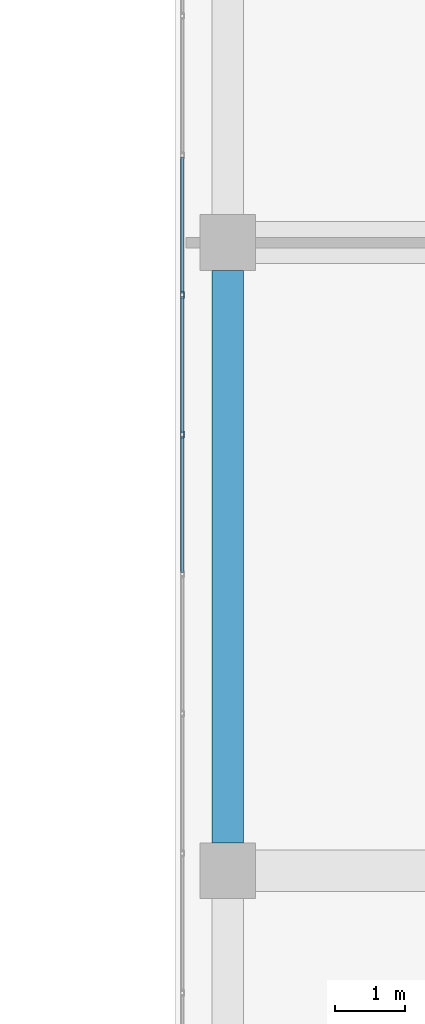
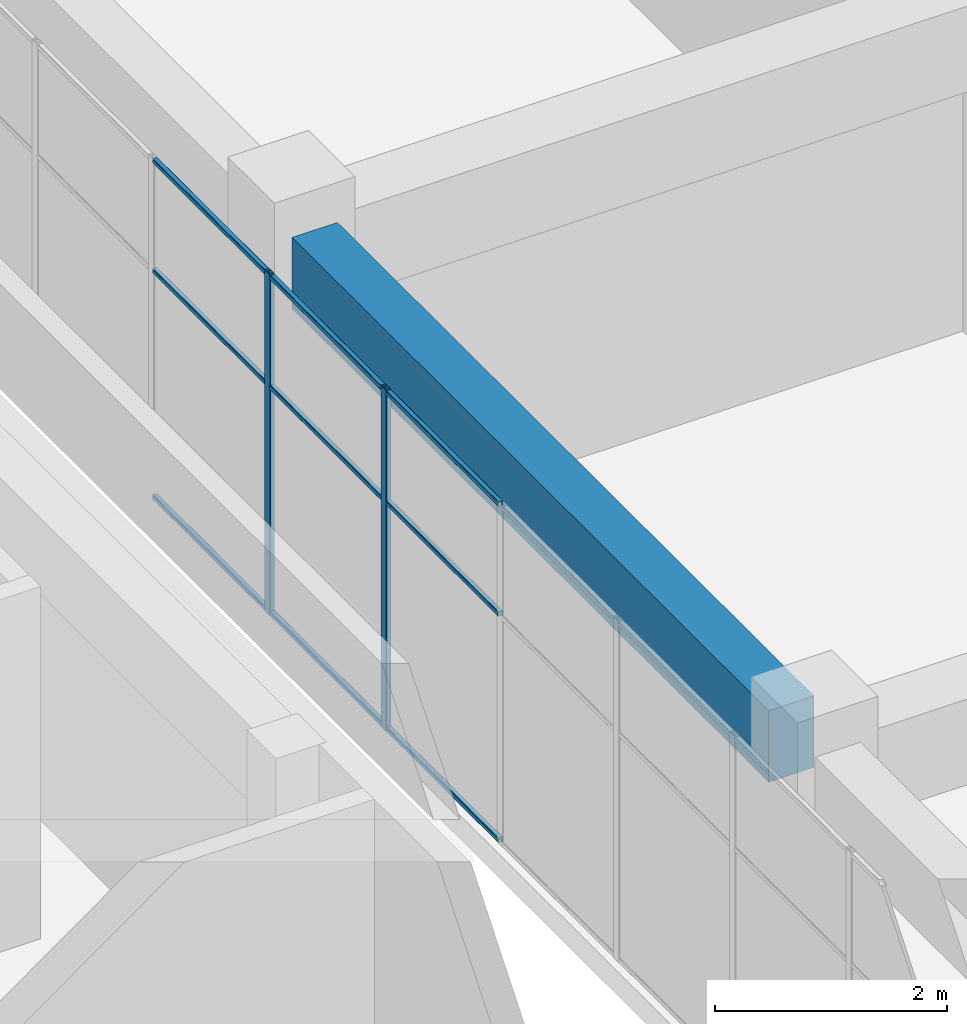
# One storey, part 33 of 72: 11 members, 1 beam, 1 element without a shape of its own.
"""IFC4 building model written with IfcOpenShell, lengths in metres."""

from ifc_helpers import new_model, si_unit, direction, frame, origin, origin_2d, place, context, subcontext, project, spatial, rectangle, hollow_rectangle, extrude, material, layer, layer_set, material_profile, profile_set, type_object, element, aggregate, save


model = new_model("IFC4")

# Units and contexts
model_context = context("Model", 3, precision=1e-05, world=origin(), true_north=direction((0.0, 1.0)))
body_context = subcontext(model_context, "Body", "Model", "MODEL_VIEW")
ifc_project = project(units=[si_unit("LENGTHUNIT", "METRE"), si_unit("AREAUNIT", "SQUARE_METRE"), si_unit("VOLUMEUNIT", "CUBIC_METRE"), si_unit("PLANEANGLEUNIT", "RADIAN"), si_unit("MASSUNIT", "GRAM", prefix="KILO")], contexts=[model_context])

# Site, building, storey
site_placement = place(None, origin())
site = spatial("IfcSite", under=ifc_project, at=site_placement, CompositionType="ELEMENT")
building_placement = place(site_placement, origin())
building = spatial("IfcBuilding", under=site, at=building_placement, Name="Tuart Plaza Theatre", CompositionType="ELEMENT")
storey_placement = place(building_placement, frame((0.0, 0.0, 13.5)))
storey = spatial("IfcBuildingStorey", under=building, at=storey_placement, Name="L03", CompositionType="ELEMENT", Elevation=13.5)

# Beam
ifc_material_1 = material(Name="Concrete N40 (40 MPa)", Category="concrete")
ifc_material_profile_1 = material_profile(ifc_material_1, rectangle(XDim=0.449951171875, YDim=0.75, at=origin_2d()), Name="BEAM 450x750 Concrete N40 (40 MPa)")
ifc_profile_set_1 = profile_set([ifc_material_profile_1], Name="Concrete N40 (40 MPa)")
beam_type = type_object("IfcBeamType", Name="BEAM 450x750 Concrete N40 (40 MPa)", PredefinedType="BEAM", material=ifc_profile_set_1)
beam_placement = place(storey_placement, frame((114.0, 65.39990234375, 3.205078125), z_axis=(0.0, 1.0, 0.0), x_axis=(-1.0, 0.0, 0.0)))
element("IfcBeam", 1, at=beam_placement, inside=storey, type_object=beam_type, Name="RB164", PredefinedType="BEAM", context=body_context, shape_type="SweptSolid", body=[
    extrude(rectangle(XDim=0.449951171875, YDim=0.75, at=origin_2d()), origin(), (0.0, 0.0, 1.0), 8.2001953125),
])

# Curtain wall, members
ifc_material_2 = material(Name="Aluminium and glass", Category="aluminium")
ifc_layer = layer(ifc_material_2, 0.10009765625)
ifc_layer_set = layer_set([ifc_layer], Name="CURTAIN WALL 2000 module")
curtain_wall_type = type_object("IfcCurtainWallType", Name="CURTAIN WALL 2000 module", PredefinedType="NOTDEFINED", material=ifc_layer_set)
curtain_wall_placement = place(storey_placement, origin())
curtain_wall = element("IfcCurtainWall", 2, at=curtain_wall_placement, inside=storey, type_object=curtain_wall_type, Name="CW73", PredefinedType="NOTDEFINED")
ifc_material_3 = material(Name="Aluminium 6063-T5", Category="aluminium")
ifc_material_profile_2 = material_profile(ifc_material_3, hollow_rectangle(XDim=0.050048828125, YDim=0.10009765625, WallThickness=0.00390625, InnerFilletRadius=0.00390625, OuterFilletRadius=0.008056640625, at=origin_2d()), Name="RHS 100x50x4")
ifc_profile_set_2 = profile_set([ifc_material_profile_2], Name="Aluminium 6063-T5")
member_type_1 = type_object("IfcMemberType", Name="MULLION RHS 100x50x4", PredefinedType="MULLION", material=ifc_profile_set_2)
member_1_placement = place(storey_placement, frame((113.35009765625, 73.25, 0.0), z_axis=(0.0, 0.0, 1.0), x_axis=(1.0, 0.0, 0.0)))
member_1 = element("IfcMember", 3, at=member_1_placement, type_object=member_type_1, Name="CW73 mullion 13", PredefinedType="MULLION", context=body_context, shape_type="SweptSolid", body=[
    extrude(hollow_rectangle(XDim=0.050048828125, YDim=0.10009765625, WallThickness=0.00390625, InnerFilletRadius=0.00390625, OuterFilletRadius=0.008056640625, at=origin_2d()), origin(), (0.0, 0.0, 1.0), 3.580078125),
])
member_2_placement = place(storey_placement, frame((113.35009765625, 71.25, 0.0), z_axis=(0.0, 0.0, 1.0), x_axis=(1.0, 0.0, 0.0)))
member_2 = element("IfcMember", 4, at=member_2_placement, type_object=member_type_1, Name="CW73 mullion 14", PredefinedType="MULLION", context=body_context, shape_type="SweptSolid", body=[
    extrude(hollow_rectangle(XDim=0.050048828125, YDim=0.10009765625, WallThickness=0.00390625, InnerFilletRadius=0.00390625, OuterFilletRadius=0.008056640625, at=origin_2d()), origin(), (0.0, 0.0, 1.0), 3.580078125),
])
ifc_material_4 = material(Name="Aluminium 6063-T5", Category="aluminium")
ifc_material_profile_3 = material_profile(ifc_material_4, hollow_rectangle(XDim=0.050048828125, YDim=0.050048828125, WallThickness=0.00390625, InnerFilletRadius=0.00390625, OuterFilletRadius=0.008056640625, at=origin_2d()), Name="RHS 50x50x4")
ifc_profile_set_3 = profile_set([ifc_material_profile_3], Name="Aluminium 6063-T5")
member_type_2 = type_object("IfcMemberType", Name="TRANSOM RHS 50x50x4", PredefinedType="USERDEFINED", material=ifc_profile_set_3)
member_3_placement = place(storey_placement, frame((113.35009765625, 75.22509765625, 0.02490234375), z_axis=(0.0, -1.0, 0.0), x_axis=(1.0, 0.0, 0.0)))
member_3 = element("IfcMember", 5, at=member_3_placement, type_object=member_type_2, Name="CW73 transom 12.1", ObjectType="TRANSOM", PredefinedType="USERDEFINED", context=body_context, shape_type="SweptSolid", body=[
    extrude(hollow_rectangle(XDim=0.050048828125, YDim=0.050048828125, WallThickness=0.00390625, InnerFilletRadius=0.00390625, OuterFilletRadius=0.008056640625, at=origin_2d()), origin(), (0.0, 0.0, 1.0), 1.9501953125),
])
member_4_placement = place(storey_placement, frame((113.35009765625, 75.22509765625, 2.39990234375), z_axis=(0.0, -1.0, 0.0), x_axis=(1.0, 0.0, 0.0)))
member_4 = element("IfcMember", 6, at=member_4_placement, type_object=member_type_2, Name="CW73 transom 12.2", ObjectType="TRANSOM", PredefinedType="USERDEFINED", context=body_context, shape_type="SweptSolid", body=[
    extrude(hollow_rectangle(XDim=0.050048828125, YDim=0.050048828125, WallThickness=0.00390625, InnerFilletRadius=0.00390625, OuterFilletRadius=0.008056640625, at=origin_2d()), origin(), (0.0, 0.0, 1.0), 1.9501953125),
])
member_5_placement = place(storey_placement, frame((113.35009765625, 75.22509765625, 3.554931640625), z_axis=(0.0, -1.0, 0.0), x_axis=(1.0, 0.0, 0.0)))
member_5 = element("IfcMember", 7, at=member_5_placement, type_object=member_type_2, Name="CW73 transom 12.3", ObjectType="TRANSOM", PredefinedType="USERDEFINED", context=body_context, shape_type="SweptSolid", body=[
    extrude(hollow_rectangle(XDim=0.050048828125, YDim=0.050048828125, WallThickness=0.00390625, InnerFilletRadius=0.00390625, OuterFilletRadius=0.008056640625, at=origin_2d()), origin(), (0.0, 0.0, 1.0), 1.9501953125),
])
member_6_placement = place(storey_placement, frame((113.35009765625, 73.22509765625, 0.02490234375), z_axis=(0.0, -1.0, 0.0), x_axis=(1.0, 0.0, 0.0)))
member_6 = element("IfcMember", 8, at=member_6_placement, type_object=member_type_2, Name="CW73 transom 13.1", ObjectType="TRANSOM", PredefinedType="USERDEFINED", context=body_context, shape_type="SweptSolid", body=[
    extrude(hollow_rectangle(XDim=0.050048828125, YDim=0.050048828125, WallThickness=0.00390625, InnerFilletRadius=0.00390625, OuterFilletRadius=0.008056640625, at=origin_2d()), origin(), (0.0, 0.0, 1.0), 1.9501953125),
])
member_7_placement = place(storey_placement, frame((113.35009765625, 73.22509765625, 2.39990234375), z_axis=(0.0, -1.0, 0.0), x_axis=(1.0, 0.0, 0.0)))
member_7 = element("IfcMember", 9, at=member_7_placement, type_object=member_type_2, Name="CW73 transom 13.2", ObjectType="TRANSOM", PredefinedType="USERDEFINED", context=body_context, shape_type="SweptSolid", body=[
    extrude(hollow_rectangle(XDim=0.050048828125, YDim=0.050048828125, WallThickness=0.00390625, InnerFilletRadius=0.00390625, OuterFilletRadius=0.008056640625, at=origin_2d()), origin(), (0.0, 0.0, 1.0), 1.9501953125),
])
member_8_placement = place(storey_placement, frame((113.35009765625, 73.22509765625, 3.554931640625), z_axis=(0.0, -1.0, 0.0), x_axis=(1.0, 0.0, 0.0)))
member_8 = element("IfcMember", 10, at=member_8_placement, type_object=member_type_2, Name="CW73 transom 13.3", ObjectType="TRANSOM", PredefinedType="USERDEFINED", context=body_context, shape_type="SweptSolid", body=[
    extrude(hollow_rectangle(XDim=0.050048828125, YDim=0.050048828125, WallThickness=0.00390625, InnerFilletRadius=0.00390625, OuterFilletRadius=0.008056640625, at=origin_2d()), origin(), (0.0, 0.0, 1.0), 1.9501953125),
])
member_9_placement = place(storey_placement, frame((113.35009765625, 71.22509765625, 0.02490234375), z_axis=(0.0, -1.0, 0.0), x_axis=(1.0, 0.0, 0.0)))
member_9 = element("IfcMember", 11, at=member_9_placement, type_object=member_type_2, Name="CW73 transom 14.1", ObjectType="TRANSOM", PredefinedType="USERDEFINED", context=body_context, shape_type="SweptSolid", body=[
    extrude(hollow_rectangle(XDim=0.050048828125, YDim=0.050048828125, WallThickness=0.00390625, InnerFilletRadius=0.00390625, OuterFilletRadius=0.008056640625, at=origin_2d()), origin(), (0.0, 0.0, 1.0), 1.9501953125),
])
member_10_placement = place(storey_placement, frame((113.35009765625, 71.22509765625, 2.39990234375), z_axis=(0.0, -1.0, 0.0), x_axis=(1.0, 0.0, 0.0)))
member_10 = element("IfcMember", 12, at=member_10_placement, type_object=member_type_2, Name="CW73 transom 14.2", ObjectType="TRANSOM", PredefinedType="USERDEFINED", context=body_context, shape_type="SweptSolid", body=[
    extrude(hollow_rectangle(XDim=0.050048828125, YDim=0.050048828125, WallThickness=0.00390625, InnerFilletRadius=0.00390625, OuterFilletRadius=0.008056640625, at=origin_2d()), origin(), (0.0, 0.0, 1.0), 1.9501953125),
])
member_11_placement = place(storey_placement, frame((113.35009765625, 71.22509765625, 3.554931640625), z_axis=(0.0, -1.0, 0.0), x_axis=(1.0, 0.0, 0.0)))
member_11 = element("IfcMember", 13, at=member_11_placement, type_object=member_type_2, Name="CW73 transom 14.3", ObjectType="TRANSOM", PredefinedType="USERDEFINED", context=body_context, shape_type="SweptSolid", body=[
    extrude(hollow_rectangle(XDim=0.050048828125, YDim=0.050048828125, WallThickness=0.00390625, InnerFilletRadius=0.00390625, OuterFilletRadius=0.008056640625, at=origin_2d()), origin(), (0.0, 0.0, 1.0), 1.9501953125),
])
aggregate(curtain_wall, [member_1, member_2, member_3, member_4, member_5, member_6, member_7, member_8, member_9, member_10, member_11])

save(model, "model.ifc")
